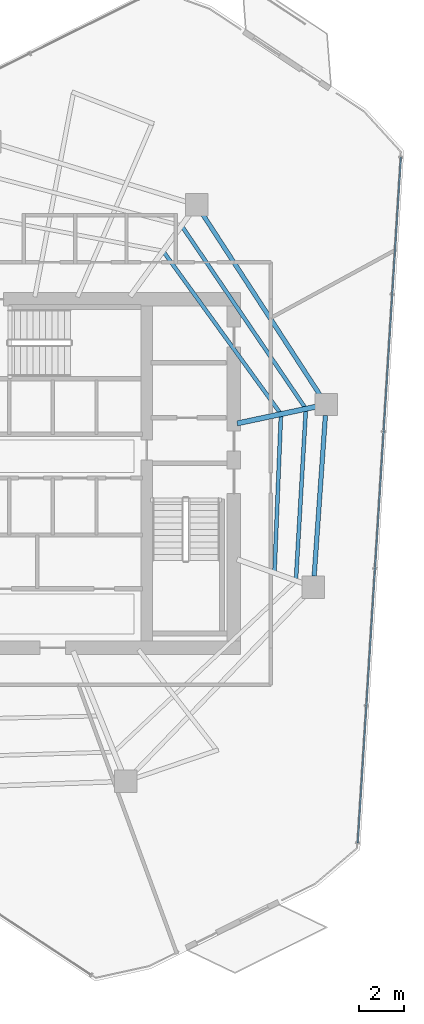
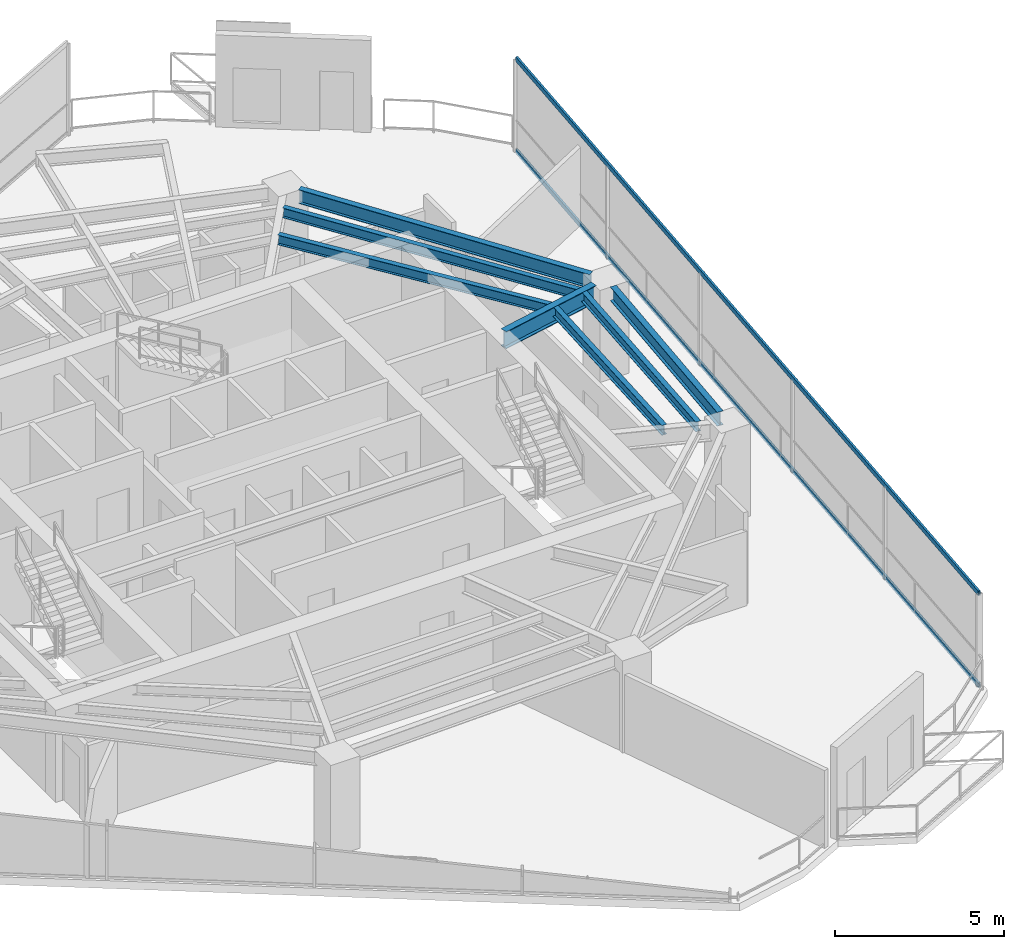
# One storey, part 10 of 21: 7 beams, 2 members, 1 element without a shape of its own.
"""IFC4 building model written with IfcOpenShell, lengths in metres."""

from ifc_helpers import new_model, si_unit, direction, frame, origin, origin_2d, place, context, subcontext, project, spatial, hollow_rectangle, i_section, extrude, material, layer, layer_set, material_profile, profile_set, type_object, element, aggregate, save


model = new_model("IFC4")

# Units and contexts
model_context = context("Model", 3, precision=1e-05, world=origin(), true_north=direction((0.0, 1.0)))
body_context = subcontext(model_context, "Body", "Model", "MODEL_VIEW")
ifc_project = project(units=[si_unit("LENGTHUNIT", "METRE"), si_unit("AREAUNIT", "SQUARE_METRE"), si_unit("VOLUMEUNIT", "CUBIC_METRE"), si_unit("PLANEANGLEUNIT", "RADIAN"), si_unit("MASSUNIT", "GRAM", prefix="KILO")], contexts=[model_context])

# Site, building, storey
site_placement = place(None, origin())
site = spatial("IfcSite", under=ifc_project, at=site_placement, CompositionType="ELEMENT")
building_placement = place(site_placement, origin())
building = spatial("IfcBuilding", under=site, at=building_placement, Name="Qarnah Convention Tower", CompositionType="ELEMENT")
storey_placement = place(building_placement, frame((0.0, 0.0, 165.300048828125)))
storey = spatial("IfcBuildingStorey", under=building, at=storey_placement, Name="L44", CompositionType="ELEMENT", Elevation=165.300048828125)

# Beams
ifc_material_1 = material(Name="Structural steel S355JR", Category="steel")
ifc_material_profile_1 = material_profile(ifc_material_1, i_section(OverallWidth=0.172119140625, OverallDepth=0.35595703125, WebThickness=0.007080078125, FlangeThickness=0.011962890625, at=origin_2d()), Name="W360X51")
ifc_profile_set_1 = profile_set([ifc_material_profile_1], Name="Structural steel S355JR")
beam_type_1 = type_object("IfcBeamType", Name="BM-JST-W360", PredefinedType="JOIST", material=ifc_profile_set_1)
beam_1_placement = place(storey_placement, frame((50.76708984375, 29.367919921875, 3.141845703125), z_axis=(-0.561639559015, 0.827382019233, 0.0), x_axis=(-0.827382019233, -0.561639559015, 0.0)))
element("IfcBeam", 1, at=beam_1_placement, inside=storey, type_object=beam_type_1, Name="L44 joist BM-L44-SJST-01", PredefinedType="JOIST", context=body_context, shape_type="SweptSolid", body=[
    extrude(i_section(OverallWidth=0.172119140625, OverallDepth=0.35595703125, WebThickness=0.007080078125, FlangeThickness=0.011962890625, at=origin_2d()), origin(), (0.0, 0.0, 1.0), 9.7236328125),
])
beam_2_placement = place(storey_placement, frame((50.376953125, 21.696044921875, 3.141845703125), z_axis=(0.057977943794, 0.998317864226, 0.0), x_axis=(-0.998317864226, 0.057977943794, 0.0)))
element("IfcBeam", 2, at=beam_2_placement, inside=storey, type_object=beam_type_1, Name="L44 joist BM-L44-SJST-09", PredefinedType="JOIST", context=body_context, shape_type="SweptSolid", body=[
    extrude(i_section(OverallWidth=0.172119140625, OverallDepth=0.35595703125, WebThickness=0.007080078125, FlangeThickness=0.011962890625, at=origin_2d()), origin(), (0.0, 0.0, 1.0), 7.520751953125),
])
beam_3_placement = place(storey_placement, frame((49.65087890625, 29.1298828125, 3.141845703125), z_axis=(-0.586082668217, 0.810251261039, 0.0), x_axis=(-0.810251261039, -0.586082668217, 0.0)))
element("IfcBeam", 3, at=beam_3_placement, inside=storey, type_object=beam_type_1, Name="L44 joist BM-L44-IJST-01", PredefinedType="JOIST", context=body_context, shape_type="SweptSolid", body=[
    extrude(i_section(OverallWidth=0.172119140625, OverallDepth=0.35595703125, WebThickness=0.007080078125, FlangeThickness=0.011962890625, at=origin_2d()), origin(), (0.0, 0.0, 1.0), 8.819580078125),
])
beam_4_placement = place(storey_placement, frame((49.4169921875, 22.044921875, 3.141845703125), z_axis=(0.040843398735, 0.999165560245, 0.0), x_axis=(-0.999165560245, 0.040843398735, 0.0)))
element("IfcBeam", 4, at=beam_4_placement, inside=storey, type_object=beam_type_1, Name="L44 joist BM-L44-IJST-09", PredefinedType="JOIST", context=body_context, shape_type="SweptSolid", body=[
    extrude(i_section(OverallWidth=0.172119140625, OverallDepth=0.35595703125, WebThickness=0.007080078125, FlangeThickness=0.011962890625, at=origin_2d()), origin(), (0.0, 0.0, 1.0), 6.927978515625),
])
ifc_material_profile_2 = material_profile(ifc_material_1, i_section(OverallWidth=0.22998046875, OverallDepth=0.617919921875, WebThickness=0.012939453125, FlangeThickness=0.02197265625, at=origin_2d()), Name="W610X140")
ifc_profile_set_2 = profile_set([ifc_material_profile_2], Name="Structural steel S355JR")
beam_type_2 = type_object("IfcBeamType", Name="BM-RAD-W610A", PredefinedType="BEAM", material=ifc_profile_set_2)
beam_5_placement = place(storey_placement, frame((47.7470703125, 28.64111328125, 3.010986328125), z_axis=(0.978133929389, 0.207975999045, 0.0), x_axis=(-0.207975999045, 0.978133929389, 0.0)))
element("IfcBeam", 5, at=beam_5_placement, inside=storey, type_object=beam_type_2, Name="L44 beam BM-L44-RAD-01", PredefinedType="BEAM", context=body_context, shape_type="SweptSolid", body=[
    extrude(i_section(OverallWidth=0.22998046875, OverallDepth=0.617919921875, WebThickness=0.012939453125, FlangeThickness=0.02197265625, at=origin_2d()), origin(), (0.0, 0.0, 1.0), 3.586181640625),
])
ifc_material_profile_3 = material_profile(ifc_material_1, i_section(OverallWidth=0.199951171875, OverallDepth=0.5, WebThickness=0.010009765625, FlangeThickness=0.01611328125, at=origin_2d()), Name="IPE500")
ifc_profile_set_3 = profile_set([ifc_material_profile_3], Name="Structural steel S355JR")
beam_type_3 = type_object("IfcBeamType", Name="BM-SPN-IPE500", PredefinedType="SPANDREL", material=ifc_profile_set_3)
beam_6_placement = place(storey_placement, frame((51.4580078125, 29.89794921875, 3.070068359375), z_axis=(-0.544531816504, 0.838740186717, 0.0), x_axis=(-0.838740186717, -0.544531816504, 0.0)))
element("IfcBeam", 6, at=beam_6_placement, inside=storey, type_object=beam_type_3, Name="L44 spandrel BM-L44-SPN-01", PredefinedType="SPANDREL", context=body_context, shape_type="SweptSolid", body=[
    extrude(i_section(OverallWidth=0.199951171875, OverallDepth=0.5, WebThickness=0.010009765625, FlangeThickness=0.01611328125, at=origin_2d()), origin(), (0.0, 0.0, 1.0), 9.663330078125),
])
beam_7_placement = place(storey_placement, frame((51.18798828125, 21.81005859375, 3.070068359375), z_axis=(0.069797433651, 0.997561185219, 0.0), x_axis=(-0.997561185219, 0.069797433651, 0.0)))
element("IfcBeam", 7, at=beam_7_placement, inside=storey, type_object=beam_type_3, Name="L44 spandrel BM-L44-SPN-09", PredefinedType="SPANDREL", context=body_context, shape_type="SweptSolid", body=[
    extrude(i_section(OverallWidth=0.199951171875, OverallDepth=0.5, WebThickness=0.010009765625, FlangeThickness=0.01611328125, at=origin_2d()), origin(), (0.0, 0.0, 1.0), 7.20556640625),
])

# Curtain wall, members
ifc_material_2 = material(Name="Tempered Low-E dark glass", Category="glass")
ifc_layer = layer(ifc_material_2, 0.172119140625)
ifc_layer_set = layer_set([ifc_layer], Name="Tempered Low-E dark glass")
curtain_wall_type = type_object("IfcCurtainWallType", Name="CWS-03", PredefinedType="NOTDEFINED", material=ifc_layer_set)
curtain_wall_placement = place(storey_placement, origin())
curtain_wall = element("IfcCurtainWall", 8, at=curtain_wall_placement, inside=storey, type_object=curtain_wall_type, Name="L44 unitised curtain wall CW-L44-F3", PredefinedType="NOTDEFINED")
ifc_material_3 = material(Name="Black anodised aluminium", Category="aluminium")
ifc_material_profile_4 = material_profile(ifc_material_3, hollow_rectangle(XDim=0.070068359375, YDim=0.169921875, WallThickness=0.0048828125, at=origin_2d()), Name="TRN-70X170")
ifc_profile_set_4 = profile_set([ifc_material_profile_4], Name="Black anodised aluminium")
member_type = type_object("IfcMemberType", Name="TRN-T3", PredefinedType="USERDEFINED", material=ifc_profile_set_4)
member_1_placement = place(storey_placement, frame((55.06689453125, 40.548095703125, 0.0), z_axis=(-0.062779962649, -0.998027392555, 0.0), x_axis=(0.998027392555, -0.062779962649, 0.0)))
member_1 = element("IfcMember", 9, at=member_1_placement, type_object=member_type, Name="CW-L44-F3 transom 1", ObjectType="TRANSOM", PredefinedType="USERDEFINED", context=body_context, shape_type="SweptSolid", body=[
    extrude(hollow_rectangle(XDim=0.070068359375, YDim=0.169921875, WallThickness=0.0048828125, at=origin_2d()), origin(), (0.0, 0.0, 1.0), 30.7255859375),
])
member_2_placement = place(storey_placement, frame((55.06689453125, 40.548095703125, 3.320068359375), z_axis=(-0.062779962649, -0.998027392555, 0.0), x_axis=(0.998027392555, -0.062779962649, 0.0)))
member_2 = element("IfcMember", 10, at=member_2_placement, type_object=member_type, Name="CW-L44-F3 transom 2", ObjectType="TRANSOM", PredefinedType="USERDEFINED", context=body_context, shape_type="SweptSolid", body=[
    extrude(hollow_rectangle(XDim=0.070068359375, YDim=0.169921875, WallThickness=0.0048828125, at=origin_2d()), origin(), (0.0, 0.0, 1.0), 30.7255859375),
])
aggregate(curtain_wall, [member_1, member_2])

save(model, "model.ifc")
